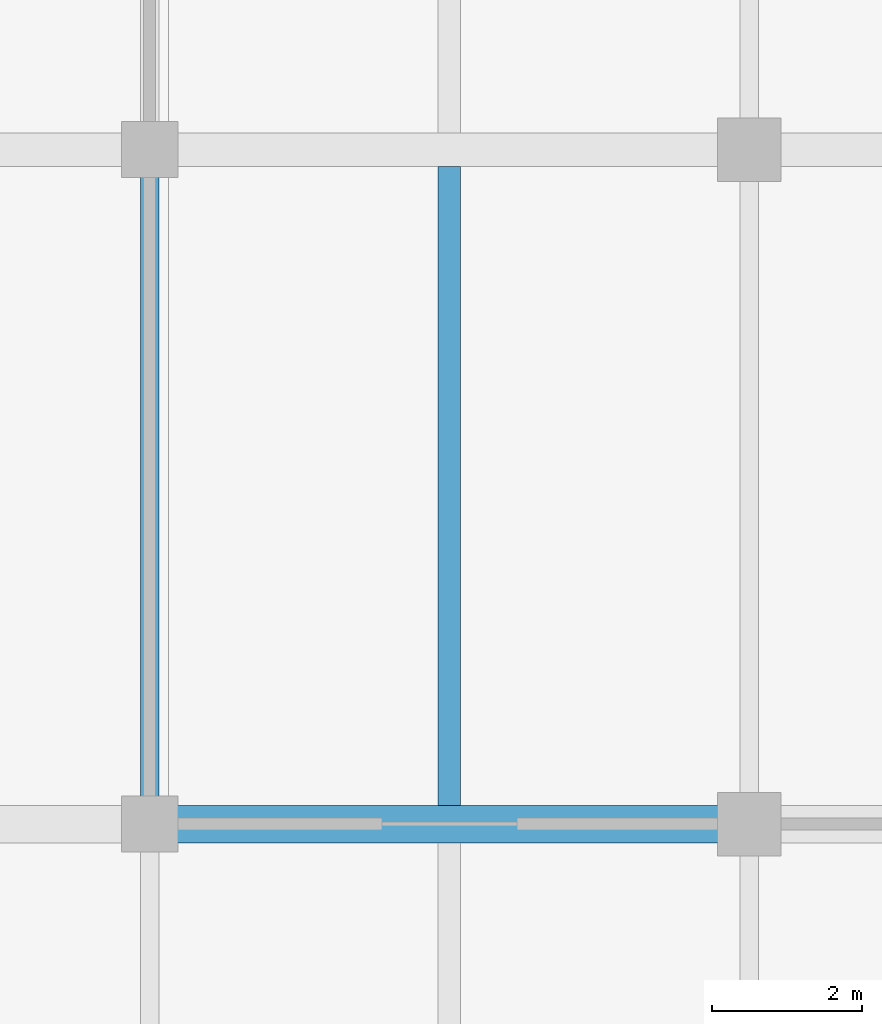
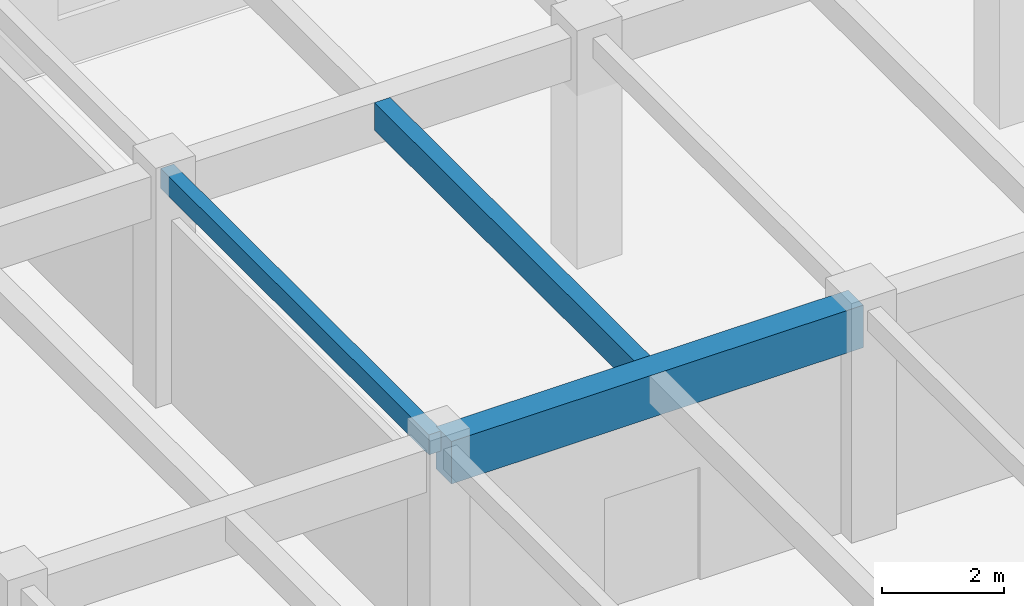
# One storey, part 80 of 144: 3 beams.
"""IFC4 building model written with IfcOpenShell, lengths in metres."""

from ifc_helpers import new_model, si_unit, direction, frame, origin, origin_2d, place, context, subcontext, project, spatial, rectangle, extrude, material, material_profile, profile_set, type_object, element, save


model = new_model("IFC4")

# Units and contexts
model_context = context("Model", 3, precision=1e-05, world=origin(), true_north=direction((0.0, 1.0)))
body_context = subcontext(model_context, "Body", "Model", "MODEL_VIEW")
ifc_project = project(units=[si_unit("LENGTHUNIT", "METRE"), si_unit("AREAUNIT", "SQUARE_METRE"), si_unit("VOLUMEUNIT", "CUBIC_METRE"), si_unit("PLANEANGLEUNIT", "RADIAN"), si_unit("MASSUNIT", "GRAM", prefix="KILO")], contexts=[model_context])

# Site, building, storey
site_placement = place(None, origin())
site = spatial("IfcSite", under=ifc_project, at=site_placement, CompositionType="ELEMENT")
building_placement = place(site_placement, origin())
building = spatial("IfcBuilding", under=site, at=building_placement, Name="Varnabhumi Central Station", CompositionType="ELEMENT")
storey_placement = place(building_placement, frame((0.0, 0.0, 4.800048828125)))
storey = spatial("IfcBuildingStorey", under=building, at=storey_placement, Name="L01", CompositionType="ELEMENT", Elevation=4.800048828125)

# Beams
ifc_material_1 = material(Name="Concrete M35", Category="concrete")
ifc_material_profile_1 = material_profile(ifc_material_1, rectangle(XDim=0.25, YDim=0.39990234375, at=origin_2d()), Name="Concrete M35", Category="concrete")
ifc_profile_set_1 = profile_set([ifc_material_profile_1], Name="Concrete M35")
beam_type_1 = type_object("IfcBeamType", Name="BM-RC-250x400", PredefinedType="LINTEL", material=ifc_profile_set_1)
beam_1_placement = place(storey_placement, frame((152.0, 18.10009765625, 4.349853515625), z_axis=(0.0, 1.0, 0.0), x_axis=(-1.0, 0.0, 0.0)))
element("IfcBeam", 1, at=beam_1_placement, inside=storey, type_object=beam_type_1, Name="Beam L01-20:C-D", PredefinedType="LINTEL", context=body_context, shape_type="SweptSolid", body=[
    extrude(rectangle(XDim=0.25, YDim=0.39990234375, at=origin_2d()), origin(), (0.0, 0.0, 1.0), 8.7998046875),
])
ifc_material_2 = material(Name="Concrete M40", Category="concrete")
ifc_material_profile_2 = material_profile(ifc_material_2, rectangle(XDim=0.300048828125, YDim=0.550048828125, at=origin_2d()), Name="Concrete M40", Category="concrete")
ifc_profile_set_2 = profile_set([ifc_material_profile_2], Name="Concrete M40")
beam_type_2 = type_object("IfcBeamType", Name="BM-RC-300x550", PredefinedType="JOIST", material=ifc_profile_set_2)
beam_2_placement = place(storey_placement, frame((156.0, 18.25, 4.27490234375), z_axis=(0.0, 1.0, 0.0), x_axis=(-1.0, 0.0, 0.0)))
element("IfcBeam", 2, at=beam_2_placement, inside=storey, type_object=beam_type_2, Name="Secondary Joist L01-20/21:C-D", PredefinedType="JOIST", context=body_context, shape_type="SweptSolid", body=[
    extrude(rectangle(XDim=0.300048828125, YDim=0.550048828125, at=origin_2d()), origin(), (0.0, 0.0, 1.0), 8.52490234375),
])
ifc_material_profile_3 = material_profile(ifc_material_2, rectangle(XDim=0.5, YDim=0.85009765625, at=origin_2d()), Name="Concrete M40", Category="concrete")
ifc_profile_set_3 = profile_set([ifc_material_profile_3], Name="Concrete M40")
beam_type_3 = type_object("IfcBeamType", Name="BM-RC-500x850", PredefinedType="BEAM", material=ifc_profile_set_3)
beam_3_placement = place(storey_placement, frame((152.10009765625, 18.0, 4.125), z_axis=(1.0, 0.0, 0.0), x_axis=(0.0, 1.0, 0.0)))
element("IfcBeam", 3, at=beam_3_placement, inside=storey, type_object=beam_type_3, Name="Beam L01-C:20-21", PredefinedType="BEAM", context=body_context, shape_type="SweptSolid", body=[
    extrude(rectangle(XDim=0.5, YDim=0.85009765625, at=origin_2d()), origin(), (0.0, 0.0, 1.0), 7.7998046875),
])

save(model, "model.ifc")
